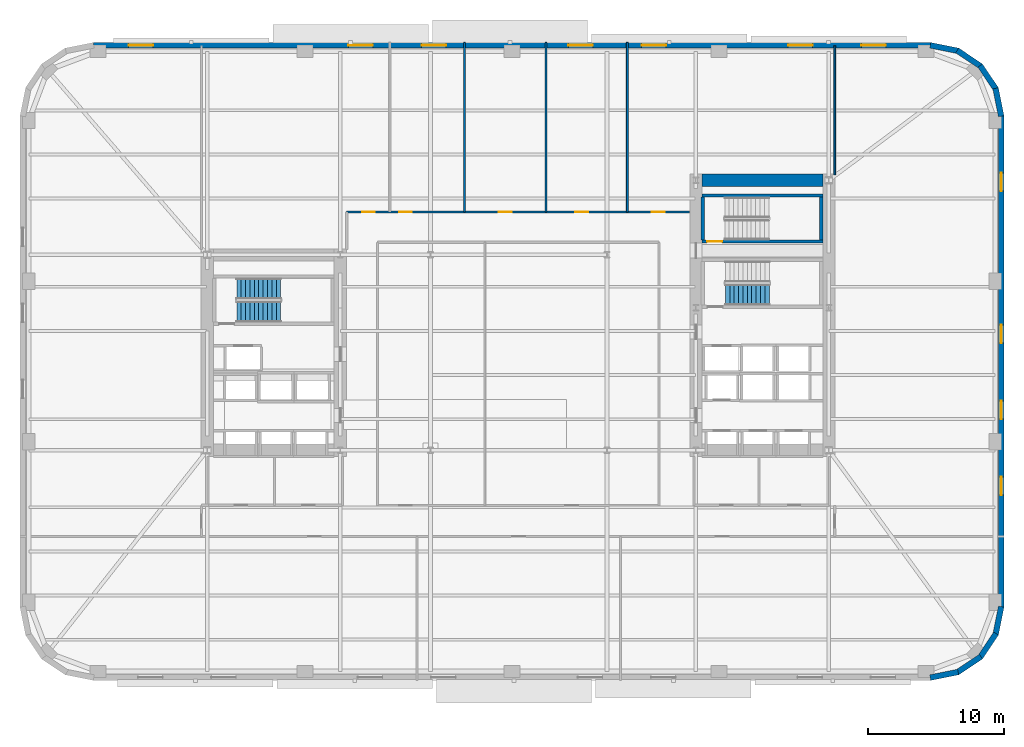
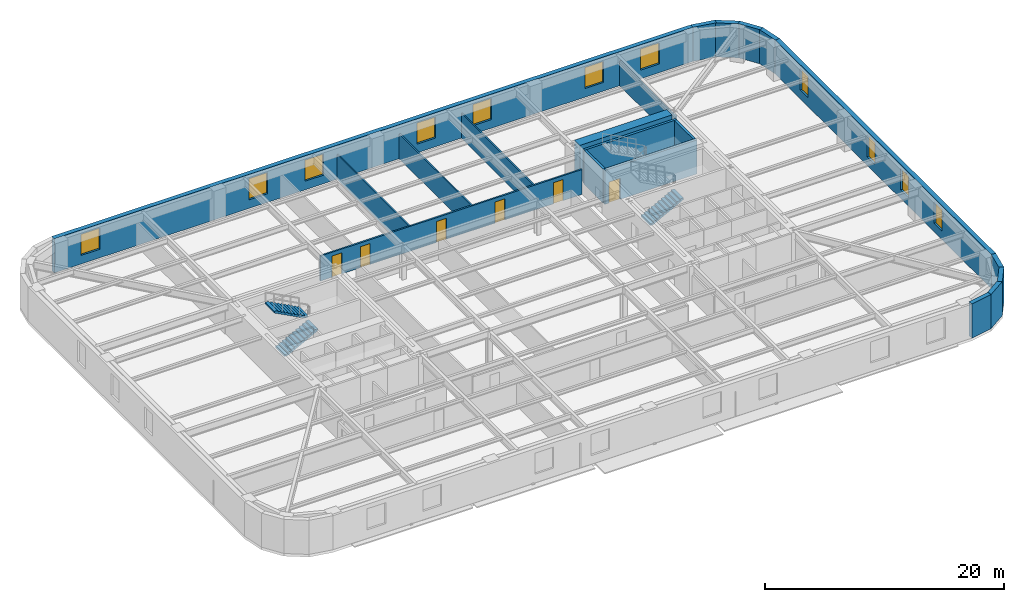
# One storey, part 7 of 14: 20 walls, 11 windows, 6 doors, 3 stair flights, 17 openings, 2 elements without a shape of their own.
"""IFC4 building model written with IfcOpenShell, lengths in metres."""

from ifc_helpers import new_model, si_unit, direction, frame, frame_2d, origin, place, context, subcontext, project, spatial, polyline, rectangle, outline, extrude, material, layer, layer_set, type_object, element, fill, aggregate, save


model = new_model("IFC4")

# Units and contexts
model_context = context("Model", 3, precision=1e-05, world=origin(), true_north=direction((0.0, 1.0)))
body_context = subcontext(model_context, "Body", "Model", "MODEL_VIEW")
ifc_project = project(units=[si_unit("LENGTHUNIT", "METRE"), si_unit("AREAUNIT", "SQUARE_METRE"), si_unit("VOLUMEUNIT", "CUBIC_METRE"), si_unit("PLANEANGLEUNIT", "RADIAN"), si_unit("MASSUNIT", "GRAM", prefix="KILO")], contexts=[model_context])

# Site, building, storey
site_placement = place(None, origin())
site = spatial("IfcSite", under=ifc_project, at=site_placement, CompositionType="ELEMENT")
building_placement = place(site_placement, origin())
building = spatial("IfcBuilding", under=site, at=building_placement, Name="Kolvaren Arena Tower", CompositionType="ELEMENT")
storey_placement = place(building_placement, frame((0.0, 0.0, 53.25)))
storey = spatial("IfcBuildingStorey", under=building, at=storey_placement, Name="L10", CompositionType="ELEMENT", Elevation=53.25)

# Wall, openings, doors
ifc_material_1 = material(Name="Gypsum board acoustic assembly", Category="gypsum")
ifc_layer_1 = layer(ifc_material_1, 0.159912109375)
ifc_layer_set_1 = layer_set([ifc_layer_1], Name="Gypsum board acoustic assembly")
wall_type_1 = type_object("IfcWallType", Name="CORR-160", PredefinedType="PARTITIONING", material=ifc_layer_set_1)
wall_1_placement = place(storey_placement, frame((24.820068359375, 37.02001953125, 0.0), z_axis=(0.0, 0.0, 1.0), x_axis=(1.0, 0.0, 0.0)))
wall_1 = element("IfcWall", 1, at=wall_1_placement, inside=storey, type_object=wall_type_1, Name="Interior Partition Wall (L10)", PredefinedType="PARTITIONING", context=body_context, shape_type="SweptSolid", body=[
    extrude(rectangle(XDim=25.260009765625, YDim=0.159912109375, at=frame_2d((12.6298828125, 0.0))), origin(), (0.0, 0.0, 1.0), 2.5400390625),
])
opening_1_placement = place(wall_1_placement, frame((1.1298828125, 0.0, 0.0)))
opening_1 = element("IfcOpeningElement", 2, at=opening_1_placement, cuts=wall_1, Name="Opening D05", PredefinedType="OPENING", context=body_context, shape_type="SweptSolid", body=[
    extrude(rectangle(XDim=0.949951171875, YDim=2.14990234375, at=frame_2d((0.47509765625, 1.074951171875))), frame((0.0, 0.08984375, 0.0), z_axis=(0.0, -1.0, 0.0), x_axis=(1.0, 0.0, 0.0)), (0.0, 0.0, 1.0), 0.179931640625),
])
opening_2_placement = place(wall_1_placement, frame((3.85498046875, 0.0, 0.0)))
opening_2 = element("IfcOpeningElement", 3, at=opening_2_placement, cuts=wall_1, Name="Opening D05", PredefinedType="OPENING", context=body_context, shape_type="SweptSolid", body=[
    extrude(rectangle(XDim=0.949951171875, YDim=2.14990234375, at=frame_2d((0.47509765625, 1.074951171875))), frame((0.0, 0.08984375, 0.0), z_axis=(0.0, -1.0, 0.0), x_axis=(1.0, 0.0, 0.0)), (0.0, 0.0, 1.0), 0.179931640625),
])
opening_3_placement = place(wall_1_placement, frame((11.205078125, 0.0, 0.0)))
opening_3 = element("IfcOpeningElement", 4, at=opening_3_placement, cuts=wall_1, Name="Opening D05", PredefinedType="OPENING", context=body_context, shape_type="SweptSolid", body=[
    extrude(rectangle(XDim=0.949951171875, YDim=2.14990234375, at=frame_2d((0.47509765625, 1.074951171875))), frame((0.0, 0.08984375, 0.0), z_axis=(0.0, -1.0, 0.0), x_axis=(1.0, 0.0, 0.0)), (0.0, 0.0, 1.0), 0.179931640625),
])
opening_4_placement = place(wall_1_placement, frame((16.85498046875, 0.0, 0.0)))
opening_4 = element("IfcOpeningElement", 5, at=opening_4_placement, cuts=wall_1, Name="Opening D05", PredefinedType="OPENING", context=body_context, shape_type="SweptSolid", body=[
    extrude(rectangle(XDim=0.949951171875, YDim=2.14990234375, at=frame_2d((0.47509765625, 1.074951171875))), frame((0.0, 0.08984375, 0.0), z_axis=(0.0, -1.0, 0.0), x_axis=(1.0, 0.0, 0.0)), (0.0, 0.0, 1.0), 0.179931640625),
])
opening_5_placement = place(wall_1_placement, frame((22.47998046875, 0.0, 0.0)))
opening_5 = element("IfcOpeningElement", 6, at=opening_5_placement, cuts=wall_1, Name="Opening D05", PredefinedType="OPENING", context=body_context, shape_type="SweptSolid", body=[
    extrude(rectangle(XDim=0.949951171875, YDim=2.14990234375, at=frame_2d((0.47509765625, 1.074951171875))), frame((0.0, 0.08984375, 0.0), z_axis=(0.0, -1.0, 0.0), x_axis=(1.0, 0.0, 0.0)), (0.0, 0.0, 1.0), 0.179931640625),
])
ifc_material_2 = material(Name="Solid-core oak acoustic office door", Category="wood")
door_type_1 = type_object("IfcDoorType", Name="DOOR-OF-095", OperationType="NOTDEFINED", PredefinedType="DOOR", material=ifc_material_2)
door_1_placement = place(opening_1_placement, origin())
door_1 = element("IfcDoor", 7, at=door_1_placement, inside=storey, type_object=door_type_1, Name="Collaborative Work Studio Door (L10)", OperationType="SINGLE_SWING_LEFT", OverallHeight=2.14990234375, OverallWidth=0.949951171875, PredefinedType="DOOR", context=body_context, shape_type="SweptSolid", body=[
    extrude(rectangle(XDim=0.949951171875, YDim=2.14990234375, at=frame_2d((0.47509765625, 1.074951171875))), frame((0.0, 0.02490234375, 0.0), z_axis=(0.0, -1.0, 0.0), x_axis=(1.0, 0.0, 0.0)), (0.0, 0.0, 1.0), 0.050048828125),
])
fill(opening_1, door_1)
door_2_placement = place(opening_2_placement, origin())
door_2 = element("IfcDoor", 8, at=door_2_placement, inside=storey, type_object=door_type_1, Name="Boardroom Door (L10)", OperationType="SINGLE_SWING_RIGHT", OverallHeight=2.14990234375, OverallWidth=0.949951171875, PredefinedType="DOOR", context=body_context, shape_type="SweptSolid", body=[
    extrude(rectangle(XDim=0.949951171875, YDim=2.14990234375, at=frame_2d((0.47509765625, 1.074951171875))), frame((0.0, 0.02490234375, 0.0), z_axis=(0.0, -1.0, 0.0), x_axis=(1.0, 0.0, 0.0)), (0.0, 0.0, 1.0), 0.050048828125),
])
fill(opening_2, door_2)
door_3_placement = place(opening_3_placement, origin())
door_3 = element("IfcDoor", 9, at=door_3_placement, inside=storey, type_object=door_type_1, Name="Breakout Pantry and Kitchen Door (L10)", OperationType="SINGLE_SWING_LEFT", OverallHeight=2.14990234375, OverallWidth=0.949951171875, PredefinedType="DOOR", context=body_context, shape_type="SweptSolid", body=[
    extrude(rectangle(XDim=0.949951171875, YDim=2.14990234375, at=frame_2d((0.47509765625, 1.074951171875))), frame((0.0, 0.02490234375, 0.0), z_axis=(0.0, -1.0, 0.0), x_axis=(1.0, 0.0, 0.0)), (0.0, 0.0, 1.0), 0.050048828125),
])
fill(opening_3, door_3)
door_4_placement = place(opening_4_placement, origin())
door_4 = element("IfcDoor", 10, at=door_4_placement, inside=storey, type_object=door_type_1, Name="Client Lounge Door (L10)", OperationType="SINGLE_SWING_RIGHT", OverallHeight=2.14990234375, OverallWidth=0.949951171875, PredefinedType="DOOR", context=body_context, shape_type="SweptSolid", body=[
    extrude(rectangle(XDim=0.949951171875, YDim=2.14990234375, at=frame_2d((0.47509765625, 1.074951171875))), frame((0.0, 0.02490234375, 0.0), z_axis=(0.0, -1.0, 0.0), x_axis=(1.0, 0.0, 0.0)), (0.0, 0.0, 1.0), 0.050048828125),
])
fill(opening_4, door_4)
door_5_placement = place(opening_5_placement, origin())
door_5 = element("IfcDoor", 11, at=door_5_placement, inside=storey, type_object=door_type_1, Name="Tenant Reception Area Door (L10)", OperationType="SINGLE_SWING_LEFT", OverallHeight=2.14990234375, OverallWidth=0.949951171875, PredefinedType="DOOR", context=body_context, shape_type="SweptSolid", body=[
    extrude(rectangle(XDim=0.949951171875, YDim=2.14990234375, at=frame_2d((0.47509765625, 1.074951171875))), frame((0.0, 0.02490234375, 0.0), z_axis=(0.0, -1.0, 0.0), x_axis=(1.0, 0.0, 0.0)), (0.0, 0.0, 1.0), 0.050048828125),
])
fill(opening_5, door_5)

# Walls
ifc_material_3 = material(Name="Concrete 80 MPa", Category="concrete")
ifc_layer_2 = layer(ifc_material_3, 0.89990234375)
ifc_layer_set_2 = layer_set([ifc_layer_2], Name="Concrete 80 MPa")
wall_type_2 = type_object("IfcWallType", Name="CWALL-900", PredefinedType="SHEAR", material=ifc_layer_set_2)
wall_2_placement = place(storey_placement, frame((51.0, 39.35009765625, -0.27001953125), z_axis=(0.0, 0.0, 1.0), x_axis=(1.0, 0.0, 0.0)))
element("IfcWall", 12, at=wall_2_placement, inside=storey, type_object=wall_type_2, Name="Core Shear Wall EC-NORTH (L10)", PredefinedType="SHEAR", context=body_context, shape_type="SweptSolid", body=[
    extrude(rectangle(XDim=8.89990234375, YDim=0.89990234375, at=frame_2d((4.449951171875, 0.0))), origin(), (0.0, 0.0, 1.0), 3.75),
])
ifc_material_4 = material(Name="Precast concrete C50/60", Category="concrete")
ifc_layer_3 = layer(ifc_material_4, 0.419921875)
ifc_layer_set_3 = layer_set([ifc_layer_3], Name="Precast concrete C50/60")
wall_type_3 = type_object("IfcWallType", Name="EXT-PIER1", PredefinedType="SOLIDWALL", material=ifc_layer_set_3)
for number, where, z_axis, x_axis, name in (
    (13, (69.87548828125, 3.1171875, 0.0), (0.0, 0.0, 1.0), (-0.9807762837, -0.195135546048, 0.0), "Exterior Precast Masonry-Frame Wall (L10)"),
    (14, (71.5517578125, 4.256103515625, 0.0), (0.0, 0.0, 1.0), (-0.831515102434, -0.555502146192, 0.0), "Exterior Precast Masonry-Frame Wall (L10)"),
    (15, (72.664306640625, 5.9501953125, 0.0), (0.0, 0.0, 1.0), (-0.555502146192, -0.831515102434, 0.0), "Exterior Precast Masonry-Frame Wall (L10)"),
    (16, (73.0439453125, 7.94091796875, 0.0), (0.0, 0.0, 1.0), (-0.195135546048, -0.9807762837, 0.0), "Exterior Precast Masonry-Frame Wall (L10)"),
):
    element("IfcWall", number, at=place(storey_placement, frame(where, z_axis=z_axis, x_axis=x_axis)), inside=storey, type_object=wall_type_3, Name=name, PredefinedType="SOLIDWALL", context=body_context, shape_type="SweptSolid", body=[
        extrude(rectangle(XDim=2.10693359375, YDim=0.419921875, at=frame_2d((1.053466796875, 0.0))), origin(), (0.0, 0.0, 1.0), 3.47998046875),
    ])

# Wall, openings, windows
wall_3_placement = place(storey_placement, frame((73.0400390625, 44.10009765625, 0.0), z_axis=(0.0, 0.0, 1.0), x_axis=(0.0, -1.0, 0.0)))
wall_3 = element("IfcWall", 17, at=wall_3_placement, inside=storey, type_object=wall_type_3, Name="Exterior Precast Masonry-Frame Wall (L10)", PredefinedType="SOLIDWALL", context=body_context, shape_type="SweptSolid", body=[
    extrude(rectangle(XDim=36.2001953125, YDim=0.419921875, at=frame_2d((18.10009765625, 0.0))), origin(), (0.0, 0.0, 1.0), 3.47998046875),
])
opening_6_placement = place(wall_3_placement, frame((4.199951171875, 0.0, 0.8798828125)))
opening_6 = element("IfcOpeningElement", 18, at=opening_6_placement, cuts=wall_3, Name="Opening W04", PredefinedType="OPENING", context=body_context, shape_type="SweptSolid", body=[
    extrude(rectangle(XDim=1.35009765625, YDim=2.199951171875, at=frame_2d((0.675048828125, 1.10009765625))), frame((0.0, 0.219970703125, 0.0), z_axis=(0.0, -1.0, 0.0), x_axis=(1.0, 0.0, 0.0)), (0.0, 0.0, 1.0), 0.43994140625),
])
opening_7_placement = place(wall_3_placement, frame((15.39990234375, 0.0, 0.8798828125)))
opening_7 = element("IfcOpeningElement", 19, at=opening_7_placement, cuts=wall_3, Name="Opening W04", PredefinedType="OPENING", context=body_context, shape_type="SweptSolid", body=[
    extrude(rectangle(XDim=1.35009765625, YDim=2.199951171875, at=frame_2d((0.675048828125, 1.10009765625))), frame((0.0, 0.219970703125, 0.0), z_axis=(0.0, -1.0, 0.0), x_axis=(1.0, 0.0, 0.0)), (0.0, 0.0, 1.0), 0.43994140625),
])
opening_8_placement = place(wall_3_placement, frame((21.0, 0.0, 0.8798828125)))
opening_8 = element("IfcOpeningElement", 20, at=opening_8_placement, cuts=wall_3, Name="Opening W04", PredefinedType="OPENING", context=body_context, shape_type="SweptSolid", body=[
    extrude(rectangle(XDim=1.35009765625, YDim=2.199951171875, at=frame_2d((0.675048828125, 1.10009765625))), frame((0.0, 0.219970703125, 0.0), z_axis=(0.0, -1.0, 0.0), x_axis=(1.0, 0.0, 0.0)), (0.0, 0.0, 1.0), 0.43994140625),
])
opening_9_placement = place(wall_3_placement, frame((26.60009765625, 0.0, 0.8798828125)))
opening_9 = element("IfcOpeningElement", 21, at=opening_9_placement, cuts=wall_3, Name="Opening W04", PredefinedType="OPENING", context=body_context, shape_type="SweptSolid", body=[
    extrude(rectangle(XDim=1.35009765625, YDim=2.199951171875, at=frame_2d((0.675048828125, 1.10009765625))), frame((0.0, 0.219970703125, 0.0), z_axis=(0.0, -1.0, 0.0), x_axis=(1.0, 0.0, 0.0)), (0.0, 0.0, 1.0), 0.43994140625),
])
ifc_material_5 = material(Name="Triple-glazed curved-facet corner window", Category="glass")
window_type_1 = type_object("IfcWindowType", Name="WIN-CRN-A", PartitioningType="SINGLE_PANEL", PredefinedType="WINDOW", material=ifc_material_5)
window_1_placement = place(opening_6_placement, origin())
window_1 = element("IfcWindow", 22, at=window_1_placement, inside=storey, type_object=window_type_1, Name="End-Wall Punched Window (L10)", OverallHeight=2.199951171875, OverallWidth=1.35009765625, PartitioningType="SINGLE_PANEL", PredefinedType="WINDOW", context=body_context, shape_type="SweptSolid", body=[
    extrude(rectangle(XDim=1.35009765625, YDim=2.199951171875, at=frame_2d((0.675048828125, 1.10009765625))), frame((0.0, 0.030029296875, 0.0), z_axis=(0.0, -1.0, 0.0), x_axis=(1.0, 0.0, 0.0)), (0.0, 0.0, 1.0), 0.06005859375),
])
fill(opening_6, window_1)
window_2_placement = place(opening_7_placement, origin())
window_2 = element("IfcWindow", 23, at=window_2_placement, inside=storey, type_object=window_type_1, Name="End-Wall Punched Window (L10)", OverallHeight=2.199951171875, OverallWidth=1.35009765625, PartitioningType="SINGLE_PANEL", PredefinedType="WINDOW", context=body_context, shape_type="SweptSolid", body=[
    extrude(rectangle(XDim=1.35009765625, YDim=2.199951171875, at=frame_2d((0.675048828125, 1.10009765625))), frame((0.0, 0.030029296875, 0.0), z_axis=(0.0, -1.0, 0.0), x_axis=(1.0, 0.0, 0.0)), (0.0, 0.0, 1.0), 0.06005859375),
])
fill(opening_7, window_2)
window_3_placement = place(opening_8_placement, origin())
window_3 = element("IfcWindow", 24, at=window_3_placement, inside=storey, type_object=window_type_1, Name="End-Wall Punched Window (L10)", OverallHeight=2.199951171875, OverallWidth=1.35009765625, PartitioningType="SINGLE_PANEL", PredefinedType="WINDOW", context=body_context, shape_type="SweptSolid", body=[
    extrude(rectangle(XDim=1.35009765625, YDim=2.199951171875, at=frame_2d((0.675048828125, 1.10009765625))), frame((0.0, 0.030029296875, 0.0), z_axis=(0.0, -1.0, 0.0), x_axis=(1.0, 0.0, 0.0)), (0.0, 0.0, 1.0), 0.06005859375),
])
fill(opening_8, window_3)
window_4_placement = place(opening_9_placement, origin())
window_4 = element("IfcWindow", 25, at=window_4_placement, inside=storey, type_object=window_type_1, Name="End-Wall Punched Window (L10)", OverallHeight=2.199951171875, OverallWidth=1.35009765625, PartitioningType="SINGLE_PANEL", PredefinedType="WINDOW", context=body_context, shape_type="SweptSolid", body=[
    extrude(rectangle(XDim=1.35009765625, YDim=2.199951171875, at=frame_2d((0.675048828125, 1.10009765625))), frame((0.0, 0.030029296875, 0.0), z_axis=(0.0, -1.0, 0.0), x_axis=(1.0, 0.0, 0.0)), (0.0, 0.0, 1.0), 0.06005859375),
])
fill(opening_9, window_4)

# Walls
for number, where, z_axis, x_axis, name in (
    (26, (72.6328125, 46.12548828125, 0.0), (0.0, 0.0, 1.0), (0.195135546048, -0.9807762837, 0.0), "Exterior Precast Masonry-Frame Wall (L10)"),
    (27, (71.493896484375, 47.8017578125, 0.0), (0.0, 0.0, 1.0), (0.555502146192, -0.831515102434, 0.0), "Exterior Precast Masonry-Frame Wall (L10)"),
    (28, (69.7998046875, 48.914306640625, 0.0), (0.0, 0.0, 1.0), (0.831515102434, -0.555502146192, 0.0), "Exterior Precast Masonry-Frame Wall (L10)"),
    (29, (67.80908203125, 49.2939453125, 0.0), (0.0, 0.0, 1.0), (0.9807762837, -0.195135546048, 0.0), "Exterior Precast Masonry-Frame Wall (L10)"),
):
    element("IfcWall", number, at=place(storey_placement, frame(where, z_axis=z_axis, x_axis=x_axis)), inside=storey, type_object=wall_type_3, Name=name, PredefinedType="SOLIDWALL", context=body_context, shape_type="SweptSolid", body=[
        extrude(rectangle(XDim=2.10693359375, YDim=0.419921875, at=frame_2d((1.053466796875, 0.0))), origin(), (0.0, 0.0, 1.0), 3.47998046875),
    ])

# Wall, openings, windows
wall_4_placement = place(storey_placement, frame((6.14990234375, 49.2900390625, 0.0), z_axis=(0.0, 0.0, 1.0), x_axis=(1.0, 0.0, 0.0)))
wall_4 = element("IfcWall", 30, at=wall_4_placement, inside=storey, type_object=wall_type_3, Name="Exterior Precast Masonry-Frame Wall (L10)", PredefinedType="SOLIDWALL", context=body_context, shape_type="SweptSolid", body=[
    extrude(rectangle(XDim=61.7001953125, YDim=0.419921875, at=frame_2d((30.85009765625, 0.0))), origin(), (0.0, 0.0, 1.0), 3.47998046875),
])
opening_10_placement = place(wall_4_placement, frame((2.60009765625, 0.0, 0.8798828125)))
opening_10 = element("IfcOpeningElement", 31, at=opening_10_placement, cuts=wall_4, Name="Opening W02", PredefinedType="OPENING", context=body_context, shape_type="SweptSolid", body=[
    extrude(rectangle(XDim=1.800048828125, YDim=2.14990234375, at=frame_2d((0.89990234375, 1.074951171875))), frame((0.0, 0.219970703125, 0.0), z_axis=(0.0, -1.0, 0.0), x_axis=(1.0, 0.0, 0.0)), (0.0, 0.0, 1.0), 0.43994140625),
])
opening_11_placement = place(wall_4_placement, frame((18.800048828125, 0.0, 0.8798828125)))
opening_11 = element("IfcOpeningElement", 32, at=opening_11_placement, cuts=wall_4, Name="Opening W02", PredefinedType="OPENING", context=body_context, shape_type="SweptSolid", body=[
    extrude(rectangle(XDim=1.800048828125, YDim=2.14990234375, at=frame_2d((0.89990234375, 1.074951171875))), frame((0.0, 0.219970703125, 0.0), z_axis=(0.0, -1.0, 0.0), x_axis=(1.0, 0.0, 0.0)), (0.0, 0.0, 1.0), 0.43994140625),
])
opening_12_placement = place(wall_4_placement, frame((24.199951171875, 0.0, 0.8798828125)))
opening_12 = element("IfcOpeningElement", 33, at=opening_12_placement, cuts=wall_4, Name="Opening W02", PredefinedType="OPENING", context=body_context, shape_type="SweptSolid", body=[
    extrude(rectangle(XDim=1.800048828125, YDim=2.14990234375, at=frame_2d((0.89990234375, 1.074951171875))), frame((0.0, 0.219970703125, 0.0), z_axis=(0.0, -1.0, 0.0), x_axis=(1.0, 0.0, 0.0)), (0.0, 0.0, 1.0), 0.43994140625),
])
opening_13_placement = place(wall_4_placement, frame((35.0, 0.0, 0.8798828125)))
opening_13 = element("IfcOpeningElement", 34, at=opening_13_placement, cuts=wall_4, Name="Opening W02", PredefinedType="OPENING", context=body_context, shape_type="SweptSolid", body=[
    extrude(rectangle(XDim=1.800048828125, YDim=2.14990234375, at=frame_2d((0.89990234375, 1.074951171875))), frame((0.0, 0.219970703125, 0.0), z_axis=(0.0, -1.0, 0.0), x_axis=(1.0, 0.0, 0.0)), (0.0, 0.0, 1.0), 0.43994140625),
])
opening_14_placement = place(wall_4_placement, frame((40.39990234375, 0.0, 0.8798828125)))
opening_14 = element("IfcOpeningElement", 35, at=opening_14_placement, cuts=wall_4, Name="Opening W02", PredefinedType="OPENING", context=body_context, shape_type="SweptSolid", body=[
    extrude(rectangle(XDim=1.800048828125, YDim=2.14990234375, at=frame_2d((0.89990234375, 1.074951171875))), frame((0.0, 0.219970703125, 0.0), z_axis=(0.0, -1.0, 0.0), x_axis=(1.0, 0.0, 0.0)), (0.0, 0.0, 1.0), 0.43994140625),
])
opening_15_placement = place(wall_4_placement, frame((51.199951171875, 0.0, 0.8798828125)))
opening_15 = element("IfcOpeningElement", 36, at=opening_15_placement, cuts=wall_4, Name="Opening W02", PredefinedType="OPENING", context=body_context, shape_type="SweptSolid", body=[
    extrude(rectangle(XDim=1.800048828125, YDim=2.14990234375, at=frame_2d((0.89990234375, 1.074951171875))), frame((0.0, 0.219970703125, 0.0), z_axis=(0.0, -1.0, 0.0), x_axis=(1.0, 0.0, 0.0)), (0.0, 0.0, 1.0), 0.43994140625),
])
opening_16_placement = place(wall_4_placement, frame((56.60009765625, 0.0, 0.8798828125)))
opening_16 = element("IfcOpeningElement", 37, at=opening_16_placement, cuts=wall_4, Name="Opening W02", PredefinedType="OPENING", context=body_context, shape_type="SweptSolid", body=[
    extrude(rectangle(XDim=1.800048828125, YDim=2.14990234375, at=frame_2d((0.89990234375, 1.074951171875))), frame((0.0, 0.219970703125, 0.0), z_axis=(0.0, -1.0, 0.0), x_axis=(1.0, 0.0, 0.0)), (0.0, 0.0, 1.0), 0.43994140625),
])
ifc_material_6 = material(Name="Triple-glazed low-E aluminium window", Category="aluminium")
window_type_2 = type_object("IfcWindowType", Name="WIN-OFF-B", PartitioningType="DOUBLE_PANEL_VERTICAL", PredefinedType="WINDOW", material=ifc_material_6)
window_5_placement = place(opening_10_placement, origin())
window_5 = element("IfcWindow", 38, at=window_5_placement, inside=storey, type_object=window_type_2, Name="Punched Precast-Pier Window (L10)", OverallHeight=2.14990234375, OverallWidth=1.800048828125, PartitioningType="DOUBLE_PANEL_VERTICAL", PredefinedType="WINDOW", context=body_context, shape_type="SweptSolid", body=[
    extrude(rectangle(XDim=1.800048828125, YDim=2.14990234375, at=frame_2d((0.89990234375, 1.074951171875))), frame((0.0, 0.030029296875, 0.0), z_axis=(0.0, -1.0, 0.0), x_axis=(1.0, 0.0, 0.0)), (0.0, 0.0, 1.0), 0.06005859375),
])
fill(opening_10, window_5)
window_6_placement = place(opening_11_placement, origin())
window_6 = element("IfcWindow", 39, at=window_6_placement, inside=storey, type_object=window_type_2, Name="Punched Precast-Pier Window (L10)", OverallHeight=2.14990234375, OverallWidth=1.800048828125, PartitioningType="DOUBLE_PANEL_VERTICAL", PredefinedType="WINDOW", context=body_context, shape_type="SweptSolid", body=[
    extrude(rectangle(XDim=1.800048828125, YDim=2.14990234375, at=frame_2d((0.89990234375, 1.074951171875))), frame((0.0, 0.030029296875, 0.0), z_axis=(0.0, -1.0, 0.0), x_axis=(1.0, 0.0, 0.0)), (0.0, 0.0, 1.0), 0.06005859375),
])
fill(opening_11, window_6)
window_7_placement = place(opening_12_placement, origin())
window_7 = element("IfcWindow", 40, at=window_7_placement, inside=storey, type_object=window_type_2, Name="Punched Precast-Pier Window (L10)", OverallHeight=2.14990234375, OverallWidth=1.800048828125, PartitioningType="DOUBLE_PANEL_VERTICAL", PredefinedType="WINDOW", context=body_context, shape_type="SweptSolid", body=[
    extrude(rectangle(XDim=1.800048828125, YDim=2.14990234375, at=frame_2d((0.89990234375, 1.074951171875))), frame((0.0, 0.030029296875, 0.0), z_axis=(0.0, -1.0, 0.0), x_axis=(1.0, 0.0, 0.0)), (0.0, 0.0, 1.0), 0.06005859375),
])
fill(opening_12, window_7)
window_8_placement = place(opening_13_placement, origin())
window_8 = element("IfcWindow", 41, at=window_8_placement, inside=storey, type_object=window_type_2, Name="Punched Precast-Pier Window (L10)", OverallHeight=2.14990234375, OverallWidth=1.800048828125, PartitioningType="DOUBLE_PANEL_VERTICAL", PredefinedType="WINDOW", context=body_context, shape_type="SweptSolid", body=[
    extrude(rectangle(XDim=1.800048828125, YDim=2.14990234375, at=frame_2d((0.89990234375, 1.074951171875))), frame((0.0, 0.030029296875, 0.0), z_axis=(0.0, -1.0, 0.0), x_axis=(1.0, 0.0, 0.0)), (0.0, 0.0, 1.0), 0.06005859375),
])
fill(opening_13, window_8)
window_9_placement = place(opening_14_placement, origin())
window_9 = element("IfcWindow", 42, at=window_9_placement, inside=storey, type_object=window_type_2, Name="Punched Precast-Pier Window (L10)", OverallHeight=2.14990234375, OverallWidth=1.800048828125, PartitioningType="DOUBLE_PANEL_VERTICAL", PredefinedType="WINDOW", context=body_context, shape_type="SweptSolid", body=[
    extrude(rectangle(XDim=1.800048828125, YDim=2.14990234375, at=frame_2d((0.89990234375, 1.074951171875))), frame((0.0, 0.030029296875, 0.0), z_axis=(0.0, -1.0, 0.0), x_axis=(1.0, 0.0, 0.0)), (0.0, 0.0, 1.0), 0.06005859375),
])
fill(opening_14, window_9)
window_10_placement = place(opening_15_placement, origin())
window_10 = element("IfcWindow", 43, at=window_10_placement, inside=storey, type_object=window_type_2, Name="Punched Precast-Pier Window (L10)", OverallHeight=2.14990234375, OverallWidth=1.800048828125, PartitioningType="DOUBLE_PANEL_VERTICAL", PredefinedType="WINDOW", context=body_context, shape_type="SweptSolid", body=[
    extrude(rectangle(XDim=1.800048828125, YDim=2.14990234375, at=frame_2d((0.89990234375, 1.074951171875))), frame((0.0, 0.030029296875, 0.0), z_axis=(0.0, -1.0, 0.0), x_axis=(1.0, 0.0, 0.0)), (0.0, 0.0, 1.0), 0.06005859375),
])
fill(opening_15, window_10)
window_11_placement = place(opening_16_placement, origin())
window_11 = element("IfcWindow", 44, at=window_11_placement, inside=storey, type_object=window_type_2, Name="Punched Precast-Pier Window (L10)", OverallHeight=2.14990234375, OverallWidth=1.800048828125, PartitioningType="DOUBLE_PANEL_VERTICAL", PredefinedType="WINDOW", context=body_context, shape_type="SweptSolid", body=[
    extrude(rectangle(XDim=1.800048828125, YDim=2.14990234375, at=frame_2d((0.89990234375, 1.074951171875))), frame((0.0, 0.030029296875, 0.0), z_axis=(0.0, -1.0, 0.0), x_axis=(1.0, 0.0, 0.0)), (0.0, 0.0, 1.0), 0.06005859375),
])
fill(opening_16, window_11)

# Walls
ifc_material_7 = material(Name="Gypsum board partition assembly", Category="gypsum")
ifc_layer_4 = layer(ifc_material_7, 0.135009765625)
ifc_layer_set_4 = layer_set([ifc_layer_4], Name="Gypsum board partition assembly")
wall_type_4 = type_object("IfcWallType", Name="PART-135", PredefinedType="PARTITIONING", material=ifc_layer_set_4)
for number, where, z_axis, x_axis, name in (
    (45, (33.5, 37.02001953125, 0.0), (0.0, 0.0, 1.0), (0.0, 1.0, 0.0), "Interior Partition Wall (L10)"),
    (46, (39.5, 37.02001953125, 0.0), (0.0, 0.0, 1.0), (0.0, 1.0, 0.0), "Interior Partition Wall (L10)"),
    (47, (45.5, 37.02001953125, 0.0), (0.0, 0.0, 1.0), (0.0, 1.0, 0.0), "Interior Partition Wall (L10)"),
):
    element("IfcWall", number, at=place(storey_placement, frame(where, z_axis=z_axis, x_axis=x_axis)), inside=storey, type_object=wall_type_4, Name=name, PredefinedType="PARTITIONING", context=body_context, shape_type="SweptSolid", body=[
        extrude(rectangle(XDim=12.47998046875, YDim=0.135009765625, at=frame_2d((6.239990234375, 0.0))), origin(), (0.0, 0.0, 1.0), 2.5400390625),
    ])
wall_5_placement = place(storey_placement, frame((60.780029296875, 39.75, 0.0), z_axis=(0.0, 0.0, 1.0), x_axis=(0.0, 1.0, 0.0)))
element("IfcWall", 48, at=wall_5_placement, inside=storey, type_object=wall_type_4, Name="Interior Partition Wall (L10)", PredefinedType="PARTITIONING", context=body_context, shape_type="SweptSolid", body=[
    extrude(rectangle(XDim=9.510009765625, YDim=0.135009765625, at=frame_2d((4.7548828125, 0.0))), origin(), (0.0, 0.0, 1.0), 2.5400390625),
])

# Wall, opening, door
ifc_material_8 = material(Name="Concrete 45 MPa", Category="concrete")
ifc_layer_5 = layer(ifc_material_8, 0.25)
ifc_layer_set_5 = layer_set([ifc_layer_5], Name="Concrete 45 MPa")
wall_type_5 = type_object("IfcWallType", Name="SHAFT-250", PredefinedType="SOLIDWALL", material=ifc_layer_set_5)
wall_6_placement = place(storey_placement, frame((59.89990234375, 34.830078125, 0.0), z_axis=(0.0, 0.0, 1.0), x_axis=(-1.0, 0.0, 0.0)))
wall_6 = element("IfcWall", 49, at=wall_6_placement, inside=storey, type_object=wall_type_5, Name="Core Shaft Wall (L10)", PredefinedType="SOLIDWALL", context=body_context, shape_type="SweptSolid", body=[
    extrude(rectangle(XDim=8.89990234375, YDim=0.239990234375, at=frame_2d((4.449951171875, 0.0))), origin(), (0.0, 0.0, 1.0), 3.47998046875),
])
opening_17_placement = place(wall_6_placement, frame((7.419921875, 0.0, 0.0)))
opening_17 = element("IfcOpeningElement", 50, at=opening_17_placement, cuts=wall_6, Name="Opening D03", PredefinedType="OPENING", context=body_context, shape_type="SweptSolid", body=[
    extrude(rectangle(XDim=1.10009765625, YDim=2.14990234375, at=frame_2d((0.550048828125, 1.074951171875))), frame((0.0, 0.1298828125, 0.0), z_axis=(0.0, -1.0, 0.0), x_axis=(1.0, 0.0, 0.0)), (0.0, 0.0, 1.0), 0.260009765625),
])
ifc_material_9 = material(Name="Fire-rated steel exit stair door", Category="steel")
door_type_2 = type_object("IfcDoorType", Name="DOOR-ST-110", OperationType="NOTDEFINED", PredefinedType="DOOR", material=ifc_material_9)
door_6_placement = place(opening_17_placement, origin())
door_6 = element("IfcDoor", 51, at=door_6_placement, inside=storey, type_object=door_type_2, Name="Stair ST-E2 Fire Door (L10)", OperationType="SINGLE_SWING_LEFT", OverallHeight=2.14990234375, OverallWidth=1.10009765625, PredefinedType="DOOR", context=body_context, shape_type="SweptSolid", body=[
    extrude(rectangle(XDim=1.10009765625, YDim=2.14990234375, at=frame_2d((0.550048828125, 1.074951171875))), frame((0.0, 0.02490234375, 0.0), z_axis=(0.0, -1.0, 0.0), x_axis=(1.0, 0.0, 0.0)), (0.0, 0.0, 1.0), 0.050048828125),
])
fill(opening_17, door_6)

# Walls
wall_7_placement = place(storey_placement, frame((51.0, 38.219970703125, 0.0), z_axis=(0.0, 0.0, 1.0), x_axis=(1.0, 0.0, 0.0)))
element("IfcWall", 52, at=wall_7_placement, inside=storey, type_object=wall_type_5, Name="Core Shaft Wall (L10)", PredefinedType="SOLIDWALL", context=body_context, shape_type="SweptSolid", body=[
    extrude(rectangle(XDim=8.89990234375, YDim=0.239990234375, at=frame_2d((4.449951171875, 0.0))), origin(), (0.0, 0.0, 1.0), 3.47998046875),
])
for number, where, z_axis, x_axis, name in (
    (53, (51.06005859375, 34.949951171875, 0.0), (0.0, 0.0, 1.0), (0.0, 1.0, 0.0), "Core Shaft Wall (L10)"),
    (54, (59.780029296875, 34.949951171875, 0.0), (0.0, 0.0, 1.0), (0.0, 1.0, 0.0), "Core Shaft Wall (L10)"),
):
    element("IfcWall", number, at=place(storey_placement, frame(where, z_axis=z_axis, x_axis=x_axis)), inside=storey, type_object=wall_type_5, Name=name, PredefinedType="SOLIDWALL", context=body_context, shape_type="SweptSolid", body=[
        extrude(rectangle(XDim=3.150146484375, YDim=0.239990234375, at=frame_2d((1.5751953125, 0.0))), origin(), (0.0, 0.0, 1.0), 3.47998046875),
    ])

# Stair, stair flights
stair_type = type_object("IfcStairType", Name="STAIR-CORE-165", PredefinedType="HALF_TURN_STAIR", material=ifc_material_8)
stair_1_placement = place(storey_placement, origin())
stair_1 = element("IfcStair", 55, at=stair_1_placement, inside=storey, type_object=stair_type, Name="L10 ST-W1", PredefinedType="HALF_TURN_STAIR")
stair_flight_type = type_object("IfcStairFlightType", Name="FLT-165", PredefinedType="STRAIGHT", material=ifc_material_8)
stair_flight_1_placement = place(storey_placement, frame((16.719970703125, 29.669921875, 0.0), z_axis=(0.0, 0.0, 1.0), x_axis=(1.0, 0.0, 0.0)))
stair_flight_1 = element("IfcStairFlight", 56, at=stair_flight_1_placement, type_object=stair_flight_type, Name="ST-W1 flight 1", NumberOfRisers=11, NumberOfTreads=10, PredefinedType="STRAIGHT", RiserHeight=0.170454545, TreadLength=0.324, context=body_context, shape_type="SweptSolid", body=[
    extrude(outline(polyline([(0.0, 0.0), (0.0, 0.17041015625), (0.323974609375, 0.17041015625), (0.323974609375, 0.3408203125), (0.64794921875, 0.3408203125), (0.64794921875, 0.511474609375), (0.971923828125, 0.511474609375), (0.971923828125, 0.681884765625), (1.2958984375, 0.681884765625), (1.2958984375, 0.852294921875), (1.6201171875, 0.852294921875), (1.6201171875, 1.022705078125), (1.944091796875, 1.022705078125), (1.944091796875, 1.193115234375), (2.26806640625, 1.193115234375), (2.26806640625, 1.363525390625), (2.592041015625, 1.363525390625), (2.592041015625, 1.5341796875), (2.916015625, 1.5341796875), (2.916015625, 1.70458984375), (3.239990234375, 1.70458984375), (3.239990234375, 1.875), (3.239990234375, 1.53515625), (0.322021484375, 0.0), (0.0, 0.0)])), frame((0.0, 0.77001953125, 0.0), z_axis=(0.0, -1.0, 0.0), x_axis=(1.0, 0.0, 0.0)), (0.0, 0.0, 1.0), 1.5400390625),
])
stair_flight_2_placement = place(storey_placement, frame((19.9599609375, 31.360107421875, 1.875), z_axis=(0.0, 0.0, 1.0), x_axis=(-1.0, 0.0, 0.0)))
stair_flight_2 = element("IfcStairFlight", 57, at=stair_flight_2_placement, type_object=stair_flight_type, Name="ST-W1 flight 2", NumberOfRisers=11, NumberOfTreads=10, PredefinedType="STRAIGHT", RiserHeight=0.170454545, TreadLength=0.324, context=body_context, shape_type="SweptSolid", body=[
    extrude(outline(polyline([(0.0, 0.0), (0.0, 0.17041015625), (0.323974609375, 0.17041015625), (0.323974609375, 0.3408203125), (0.64794921875, 0.3408203125), (0.64794921875, 0.511474609375), (0.971923828125, 0.511474609375), (0.971923828125, 0.681884765625), (1.2958984375, 0.681884765625), (1.2958984375, 0.852294921875), (1.6201171875, 0.852294921875), (1.6201171875, 1.022705078125), (1.944091796875, 1.022705078125), (1.944091796875, 1.193115234375), (2.26806640625, 1.193115234375), (2.26806640625, 1.363525390625), (2.592041015625, 1.363525390625), (2.592041015625, 1.5341796875), (2.916015625, 1.5341796875), (2.916015625, 1.70458984375), (3.239990234375, 1.70458984375), (3.239990234375, 1.875), (3.239990234375, 1.53515625), (0.322021484375, 0.0), (0.0, 0.0)])), frame((0.0, 0.77001953125, 0.0), z_axis=(0.0, -1.0, 0.0), x_axis=(1.0, 0.0, 0.0)), (0.0, 0.0, 1.0), 1.5400390625),
])
aggregate(stair_1, [stair_flight_1, stair_flight_2])

# Stair, stair flight
stair_2_placement = place(storey_placement, origin())
stair_2 = element("IfcStair", 58, at=stair_2_placement, inside=storey, type_object=stair_type, Name="L10 ST-E1", PredefinedType="HALF_TURN_STAIR")
stair_flight_3_placement = place(storey_placement, frame((52.719970703125, 30.919921875, 0.0), z_axis=(0.0, 0.0, 1.0), x_axis=(1.0, 0.0, 0.0)))
stair_flight_3 = element("IfcStairFlight", 59, at=stair_flight_3_placement, type_object=stair_flight_type, Name="ST-E1 flight 1", NumberOfRisers=11, NumberOfTreads=10, PredefinedType="STRAIGHT", RiserHeight=0.170454545, TreadLength=0.324, context=body_context, shape_type="SweptSolid", body=[
    extrude(outline(polyline([(0.0, 0.0), (0.0, 0.17041015625), (0.323974609375, 0.17041015625), (0.323974609375, 0.3408203125), (0.64794921875, 0.3408203125), (0.64794921875, 0.511474609375), (0.971923828125, 0.511474609375), (0.971923828125, 0.681884765625), (1.2958984375, 0.681884765625), (1.2958984375, 0.852294921875), (1.6201171875, 0.852294921875), (1.6201171875, 1.022705078125), (1.944091796875, 1.022705078125), (1.944091796875, 1.193115234375), (2.26806640625, 1.193115234375), (2.26806640625, 1.363525390625), (2.592041015625, 1.363525390625), (2.592041015625, 1.5341796875), (2.916015625, 1.5341796875), (2.916015625, 1.70458984375), (3.239990234375, 1.70458984375), (3.239990234375, 1.875), (3.239990234375, 1.53515625), (0.322021484375, 0.0), (0.0, 0.0)])), frame((0.0, 0.77001953125, 0.0), z_axis=(0.0, -1.0, 0.0), x_axis=(1.0, 0.0, 0.0)), (0.0, 0.0, 1.0), 1.5400390625),
])
aggregate(stair_2, [stair_flight_3])

save(model, "model.ifc")
